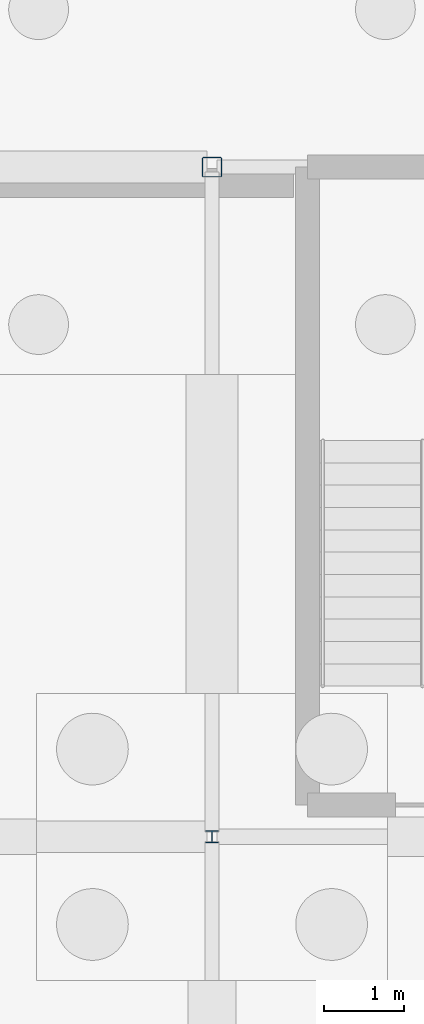
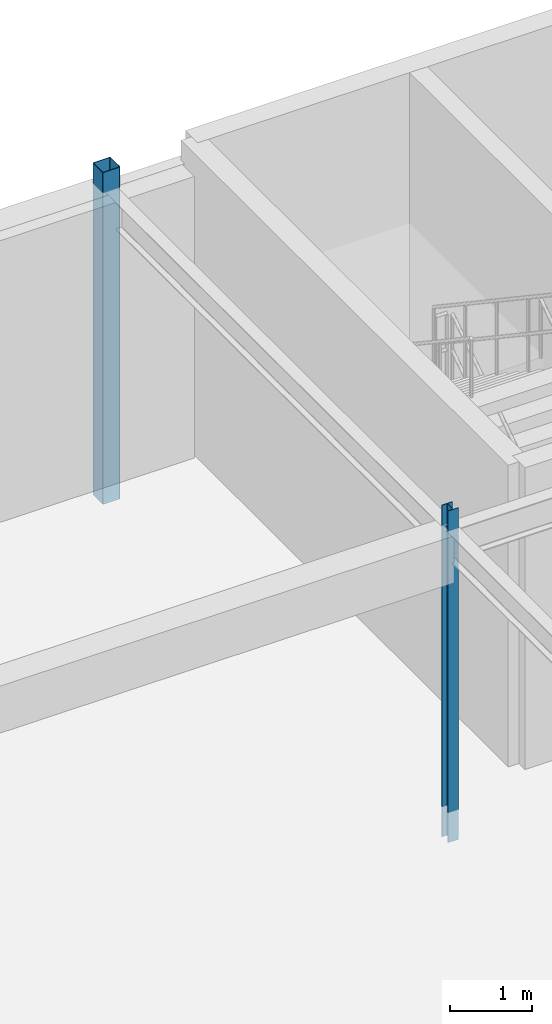
# One storey, part 35 of 75: 2 columns.
"""IFC4 building model written with IfcOpenShell, lengths in metres."""

from ifc_helpers import new_model, si_unit, derived_unit, direction, frame, origin, origin_2d_with_axis, place, context, subcontext, project, spatial, hollow_rectangle, i_section, extrude, material, material_profile, profile_set, type_object, element, save


model = new_model("IFC4")

# Units and contexts
model_context = context("Model", 3, precision=1e-05, world=origin(), true_north=direction((0.0, 1.0)))
body_context = subcontext(model_context, "Body", "Model", "MODEL_VIEW")
ifc_project = project(units=[si_unit("LENGTHUNIT", "METRE"), si_unit("AREAUNIT", "SQUARE_METRE"), si_unit("VOLUMEUNIT", "CUBIC_METRE"), si_unit("PLANEANGLEUNIT", "RADIAN"), si_unit("MASSUNIT", "GRAM", prefix="KILO"), derived_unit("THERMALTRANSMITTANCEUNIT", [(si_unit("POWERUNIT", "WATT"), 1), (si_unit("LENGTHUNIT", "METRE"), -2), (si_unit("THERMODYNAMICTEMPERATUREUNIT", "KELVIN"), -1)])], contexts=[model_context])

# Site, building, storey
site_placement = place(None, origin())
site = spatial("IfcSite", under=ifc_project, at=site_placement, CompositionType="ELEMENT")
building_placement = place(site_placement, origin())
building = spatial("IfcBuilding", under=site, at=building_placement, Name="Cinnabar Yard Market Hall", CompositionType="ELEMENT")
storey_placement = place(building_placement, frame((0.0, 0.0, -4.5)))
storey = spatial("IfcBuildingStorey", under=building, at=storey_placement, Name="B1", CompositionType="ELEMENT", Elevation=-4.5)

# Columns
ifc_material_1 = material(Name="Steel Grade 300 (300 MPa)", Category="steel")
ifc_material_profile_1 = material_profile(ifc_material_1, i_section(OverallWidth=0.152099609375, OverallDepth=0.15234375, WebThickness=0.005859375, FlangeThickness=0.0068359375, FilletRadius=0.0087890625, at=origin_2d_with_axis()), Name="150UC23.4")
ifc_profile_set_1 = profile_set([ifc_material_profile_1], Name="Steel Grade 300 (300 MPa)")
column_type_1 = type_object("IfcColumnType", Name="COL-C19", PredefinedType="COLUMN", material=ifc_profile_set_1)
column_1_placement = place(storey_placement, frame((96.0, 129.60009765625, -0.449951171875), z_axis=(0.0, 0.0, 1.0), x_axis=(1.0, 0.0, 0.0)))
element("IfcColumn", 1, at=column_1_placement, inside=storey, type_object=column_type_1, Name="Wing Column V3-04-04 B1", PredefinedType="COLUMN", context=body_context, shape_type="SweptSolid", body=[
    extrude(i_section(OverallWidth=0.152099609375, OverallDepth=0.15234375, WebThickness=0.005859375, FlangeThickness=0.0068359375, FilletRadius=0.0087890625, at=origin_2d_with_axis()), origin(), (0.0, 0.0, 1.0), 4.949951171875),
])
ifc_material_2 = material(Name="Cold-formed steel C350L0", Category="steel")
ifc_material_profile_2 = material_profile(ifc_material_2, hollow_rectangle(XDim=0.25, YDim=0.25, WallThickness=0.009033203125, InnerFilletRadius=0.009033203125, OuterFilletRadius=0.01806640625, at=origin_2d_with_axis()), Name="250x250x9.0SHS")
ifc_profile_set_2 = profile_set([ifc_material_profile_2], Name="Cold-formed steel C350L0")
column_type_2 = type_object("IfcColumnType", Name="COL-C20", PredefinedType="COLUMN", material=ifc_profile_set_2)
column_2_placement = place(storey_placement, frame((96.0, 138.0, -0.449951171875), z_axis=(0.0, 0.0, 1.0), x_axis=(1.0, 0.0, 0.0)))
element("IfcColumn", 2, at=column_2_placement, inside=storey, type_object=column_type_2, Name="Wing Column V3-04-05 B1", PredefinedType="COLUMN", context=body_context, shape_type="SweptSolid", body=[
    extrude(hollow_rectangle(XDim=0.25, YDim=0.25, WallThickness=0.009033203125, InnerFilletRadius=0.009033203125, OuterFilletRadius=0.01806640625, at=origin_2d_with_axis()), origin(), (0.0, 0.0, 1.0), 4.949951171875),
])

save(model, "model.ifc")
